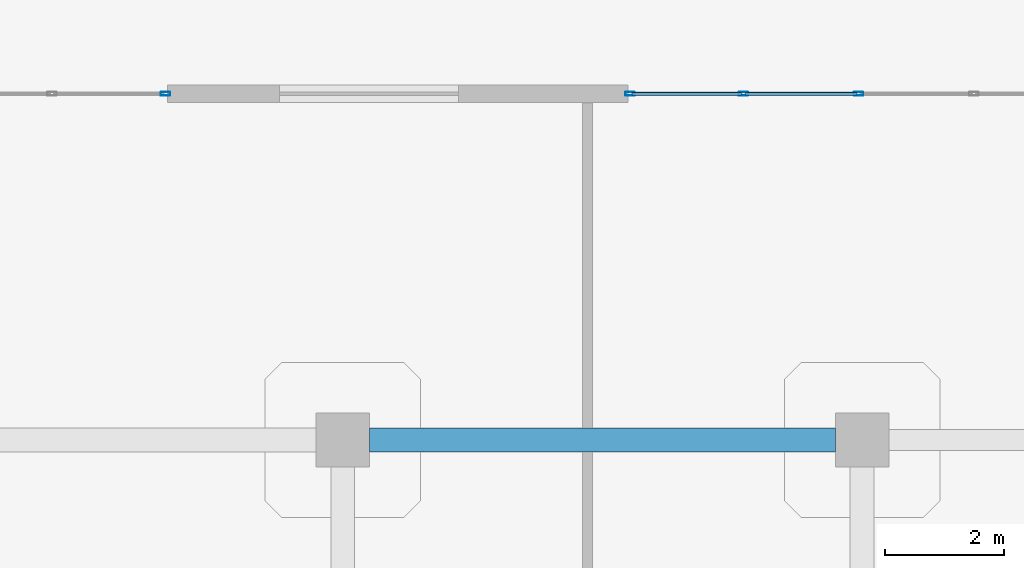
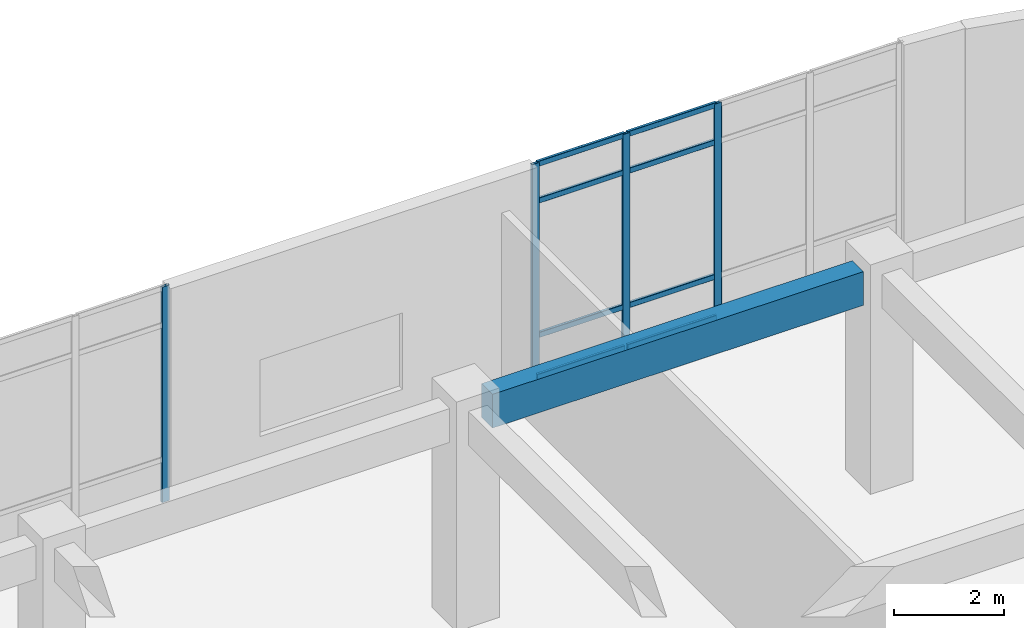
# One storey, part 65 of 120: 12 members, 1 beam, 2 elements without a shape of their own.
"""IFC4 building model written with IfcOpenShell, lengths in metres."""

import ifcopenshell
import ifcopenshell.guid

model = None  # the IFC model being written
_history = None  # IfcOwnerHistory: only IFC2X3 demands one
_inside = {}  # id of a spatial element -> (the spatial element, [elements in it])
_under = {}  # id of a project, library or spatial element -> (it, [spatial elements below it])
_declared = {}  # id of a project -> (the project, [libraries it declares])
_typed = {}  # id of a type object -> (the type object, [elements of that type])
_made_of = {}  # id of a material, layer set ... -> (it, [elements and type objects made of it])


def new_model(schema):
    """Start an empty IFC model of exactly this schema.

    Asked for "IFC4X3", IfcOpenShell would pick the latest addendum, in which some entities
    have other attributes; the version numbers below select the first issue.
    IFC2X3 requires an IfcOwnerHistory on every rooted entity: one is made here for all.
    """
    global model, _history
    if schema == "IFC4X3":
        model = ifcopenshell.file(schema_version=(4, 3, 0, 0))
    else:
        model = ifcopenshell.file(schema=schema)
    _inside.clear()
    _under.clear()
    _declared.clear()
    _typed.clear()
    _made_of.clear()
    _history = None
    if model.schema == "IFC2X3":
        org = make("IfcOrganization", Name="unknown")
        user = make(
            "IfcPersonAndOrganization",
            ThePerson=make("IfcPerson", FamilyName="unknown"),
            TheOrganization=org,
        )
        app = make(
            "IfcApplication",
            ApplicationDeveloper=org,
            Version="unknown",
            ApplicationFullName="unknown",
            ApplicationIdentifier="unknown",
        )
        _history = make(
            "IfcOwnerHistory",
            OwningUser=user,
            OwningApplication=app,
            ChangeAction="ADDED",
            CreationDate=0,
        )
    return model


def make(cls, **values):
    """One entity of the class cls with the attributes given. An attribute that is None is left unset."""
    return model.create_entity(
        cls, **{name: value for name, value in values.items() if value is not None}
    )


def rooted(cls, **values):
    """An entity with a GlobalId (a new one), such as an element, a storey or a relation."""
    return make(cls, GlobalId=ifcopenshell.guid.new(), OwnerHistory=_history, **values)


def si_unit(unit_type, name, prefix=None):
    """IfcSIUnit, for example si_unit("LENGTHUNIT", "METRE", prefix="MILLI")."""
    return make("IfcSIUnit", UnitType=unit_type, Prefix=prefix, Name=name)


def derived_unit(unit_type, elements):
    """IfcDerivedUnit: a product of units, each with its exponent."""
    return make(
        "IfcDerivedUnit",
        Elements=[
            make("IfcDerivedUnitElement", Unit=unit, Exponent=power)
            for unit, power in elements
        ],
        UnitType=unit_type,
    )


def assignment(units):
    """IfcUnitAssignment: the units of a project."""
    return None if units is None else make("IfcUnitAssignment", Units=units)


def point(xyz):
    """IfcCartesianPoint."""
    return None if xyz is None else make("IfcCartesianPoint", Coordinates=xyz)


def direction(xyz):
    """IfcDirection."""
    return None if xyz is None else make("IfcDirection", DirectionRatios=xyz)


def frame(location, z_axis=None, x_axis=None):
    """IfcAxis2Placement3D, a coordinate frame: its origin and axes. An axis left out is left unset."""
    return make(
        "IfcAxis2Placement3D",
        Location=point(location),
        Axis=direction(z_axis),
        RefDirection=direction(x_axis),
    )


def frame_2d(location, x_axis=None):
    """IfcAxis2Placement2D, a coordinate frame in the plane: its origin and x axis."""
    return make(
        "IfcAxis2Placement2D", Location=point(location), RefDirection=direction(x_axis)
    )


def origin():
    """The frame at (0, 0, 0) with its axes left unset."""
    return frame((0.0, 0.0, 0.0))


def origin_2d():
    """The frame at (0, 0) in the plane with its x axis left unset."""
    return frame_2d((0.0, 0.0))


def place(relative_to, where):
    """IfcLocalPlacement: puts the frame where relative to a parent placement (None: the world)."""
    return make(
        "IfcLocalPlacement", PlacementRelTo=relative_to, RelativePlacement=where
    )


def context(
    kind, dimensions, precision=None, world=None, true_north=None, identifier=None
):
    """IfcGeometricRepresentationContext, for example the 3D "Model" context."""
    return make(
        "IfcGeometricRepresentationContext",
        ContextIdentifier=identifier,
        ContextType=kind,
        CoordinateSpaceDimension=dimensions,
        Precision=precision,
        WorldCoordinateSystem=world,
        TrueNorth=true_north,
    )


def subcontext(parent, identifier, kind, view, scale=None):
    """IfcGeometricRepresentationSubContext, for example "Body" below "Model"."""
    return make(
        "IfcGeometricRepresentationSubContext",
        ContextIdentifier=identifier,
        ContextType=kind,
        ParentContext=parent,
        TargetScale=scale,
        TargetView=view,
    )


def project(units=None, contexts=None):
    """IfcProject with its units and contexts."""
    return rooted(
        "IfcProject",
        Name="project",
        RepresentationContexts=contexts,
        UnitsInContext=assignment(units),
    )


def spatial(cls, under=None, at=None, **own):
    """A site, building, storey or space (cls), placed at a placement, below another one or the project."""
    s = rooted(cls, ObjectPlacement=at, **own)
    if under is not None:
        _under.setdefault(under.id(), (under, []))[1].append(s)
    return s


def profile(cls, at=None, kind="AREA", **sizes):
    """A parametric profile (cls). Its sizes go by their IFC names, for example OverallWidth=200.0."""
    return make(cls, ProfileType=kind, Position=at, **sizes)


def rectangle(**sizes):
    """IfcRectangleProfileDef."""
    return profile("IfcRectangleProfileDef", **sizes)


def hollow_rectangle(**sizes):
    """IfcRectangleHollowProfileDef."""
    return profile("IfcRectangleHollowProfileDef", **sizes)


def extrude(swept, where, along, depth):
    """IfcExtrudedAreaSolid: the profile swept, set in the frame where, extruded along a direction by depth."""
    return make(
        "IfcExtrudedAreaSolid",
        SweptArea=swept,
        Position=where,
        ExtrudedDirection=direction(along),
        Depth=depth,
    )


def shape(context_of_items, identifier, shape_type, items):
    """IfcShapeRepresentation: the items that make up one representation, for example the "Body"."""
    return make(
        "IfcShapeRepresentation",
        ContextOfItems=context_of_items,
        RepresentationIdentifier=identifier,
        RepresentationType=shape_type,
        Items=items,
    )


def material(Name=None, Category=None):
    """IfcMaterial."""
    return make("IfcMaterial", Name=Name, Category=Category)


def layer(
    of_material, thickness, ventilated=None, Name=None, Category=None, Priority=None
):
    """IfcMaterialLayer: one layer of a wall or slab, of a material (None: an air gap)."""
    return make(
        "IfcMaterialLayer",
        Material=of_material,
        LayerThickness=thickness,
        IsVentilated=ventilated,
        Name=Name,
        Category=Category,
        Priority=Priority,
    )


def layer_set(layers, Name=None):
    """IfcMaterialLayerSet."""
    return make("IfcMaterialLayerSet", MaterialLayers=layers, LayerSetName=Name)


def material_profile(
    of_material, cross_section, Name=None, Category=None, Priority=None
):
    """IfcMaterialProfile: a cross section and its material."""
    return make(
        "IfcMaterialProfile",
        Name=Name,
        Material=of_material,
        Profile=cross_section,
        Priority=Priority,
        Category=Category,
    )


def profile_set(profiles, Name=None, composite=None):
    """IfcMaterialProfileSet."""
    return make(
        "IfcMaterialProfileSet",
        Name=Name,
        MaterialProfiles=profiles,
        CompositeProfile=composite,
    )


def made_of(thing, what):
    """Note that an element or type object is made of a material, layer set ...; save() writes the relation."""
    if what is not None:
        _made_of.setdefault(what.id(), (what, []))[1].append(thing)
    return thing


def type_object(cls, material=None, **own):
    """A type object (cls), such as IfcWallType, which elements share."""
    return made_of(rooted(cls, **own), material)


def element(
    cls,
    number,
    at=None,
    inside=None,
    cuts=None,
    type_object=None,
    material=None,
    context=None,
    identifier="Body",
    shape_type=None,
    held_by="IfcProductDefinitionShape",
    body=None,
    shapes=None,
    **own,
):
    """One element of the class cls, such as IfcWall. Its Tag is "e" and its number.

    at: its placement. inside: the storey or other place that contains it. cuts: it is an
    opening in that element (IfcRelVoidsElement). A single representation is given by context,
    identifier, shape_type and body (its items); several are given by shapes. held_by: the class
    of the entity that holds the representations. save() writes the other relations.
    """
    e = rooted(cls, Tag="e%d" % number, ObjectPlacement=at, **own)
    if body is not None:
        shapes = [shape(context, identifier, shape_type, body)]
    if shapes is not None:
        e.Representation = make(held_by, Representations=shapes)
    if inside is not None:
        _inside.setdefault(inside.id(), (inside, []))[1].append(e)
    if cuts is not None:
        rooted(
            "IfcRelVoidsElement", RelatingBuildingElement=cuts, RelatedOpeningElement=e
        )
    if type_object is not None:
        _typed.setdefault(type_object.id(), (type_object, []))[1].append(e)
    return made_of(e, material)


def aggregate(whole, parts):
    """IfcRelAggregates: a whole, such as a stair, and the parts it consists of."""
    return rooted("IfcRelAggregates", RelatingObject=whole, RelatedObjects=parts)


def save(model, path):
    """Write the relations noted so far, then the file.

    IfcRelAggregates (storeys below a building ...), IfcRelContainedInSpatialStructure (elements
    in a storey), IfcRelDefinesByType, IfcRelAssociatesMaterial and IfcRelDeclares: one each for
    every whole, place, type object, material and project.
    """
    for whole, parts in _under.values():
        aggregate(whole, parts)
    for where, things in _inside.values():
        rooted(
            "IfcRelContainedInSpatialStructure",
            RelatedElements=things,
            RelatingStructure=where,
        )
    for kind, things in _typed.values():
        rooted("IfcRelDefinesByType", RelatedObjects=things, RelatingType=kind)
    for what, things in _made_of.values():
        rooted("IfcRelAssociatesMaterial", RelatedObjects=things, RelatingMaterial=what)
    for by, libraries in _declared.values():
        rooted("IfcRelDeclares", RelatingContext=by, RelatedDefinitions=libraries)
    model.write(path)


model = new_model("IFC4")

# Units and contexts
model_context = context("Model", 3, precision=1e-05, world=origin(), true_north=direction((0.0, 1.0)))
body_context = subcontext(model_context, "Body", "Model", "MODEL_VIEW")
ifc_project = project(units=[si_unit("LENGTHUNIT", "METRE"), si_unit("AREAUNIT", "SQUARE_METRE"), si_unit("VOLUMEUNIT", "CUBIC_METRE"), si_unit("PLANEANGLEUNIT", "RADIAN"), si_unit("MASSUNIT", "GRAM", prefix="KILO"), derived_unit("THERMALTRANSMITTANCEUNIT", [(si_unit("MASSUNIT", "GRAM", prefix="KILO"), 1), (si_unit("TIMEUNIT", "SECOND"), -3), (si_unit("THERMODYNAMICTEMPERATUREUNIT", "KELVIN"), -1)])], contexts=[model_context])

# Site, building, storey
site_placement = place(None, origin())
site = spatial("IfcSite", under=ifc_project, at=site_placement, CompositionType="ELEMENT")
building_placement = place(site_placement, origin())
building = spatial("IfcBuilding", under=site, at=building_placement, Name="Qinzheling Arcade Emporium", CompositionType="ELEMENT")
storey_placement = place(building_placement, frame((0.0, 0.0, 11.39990234375)))
storey = spatial("IfcBuildingStorey", under=building, at=storey_placement, Name="L03", CompositionType="ELEMENT", Elevation=11.39990234375)

# Curtain wall, member
ifc_material_1 = material(Name="Anodised aluminium and solar-control double glazing", Category="aluminium")
ifc_layer = layer(ifc_material_1, 0.159912109375, Name="Anodised aluminium and solar-control double glazing", Category="aluminium")
ifc_layer_set = layer_set([ifc_layer], Name="Anodised aluminium and solar-control double glazing")
curtain_wall_type = type_object("IfcCurtainWallType", Name="Food Hall Loggia Curtain Wall", PredefinedType="NOTDEFINED", material=ifc_layer_set)
curtain_wall_1_placement = place(storey_placement, origin())
curtain_wall_1 = element("IfcCurtainWall", 1, at=curtain_wall_1_placement, inside=storey, type_object=curtain_wall_type, Name="Curtain Wall CW-L03-206", PredefinedType="NOTDEFINED")
ifc_material_2 = material(Name="Anodised aluminium 6063-T6", Category="aluminium")
ifc_material_profile_1 = material_profile(ifc_material_2, hollow_rectangle(XDim=0.06005859375, YDim=0.159912109375, WallThickness=0.00390625, InnerFilletRadius=0.00390625, OuterFilletRadius=0.008056640625, at=origin_2d()), Name="RHS 160x60x4", Category="aluminium")
ifc_profile_set_1 = profile_set([ifc_material_profile_1], Name="Anodised aluminium 6063-T6")
member_type_1 = type_object("IfcMemberType", Name="Curtain Wall Mullion RHS160x60", PredefinedType="MULLION", material=ifc_profile_set_1)
member_1_placement = place(storey_placement, frame((144.927978515625, 31.0, 0.0), z_axis=(0.0, 0.0, 1.0), x_axis=(0.0, 1.0, 0.0)))
member_1 = element("IfcMember", 2, at=member_1_placement, type_object=member_type_1, Name="CW04 mullion 5", PredefinedType="MULLION", context=body_context, shape_type="SweptSolid", body=[
    extrude(hollow_rectangle(XDim=0.06005859375, YDim=0.159912109375, WallThickness=0.00390625, InnerFilletRadius=0.00390625, OuterFilletRadius=0.008056640625, at=origin_2d()), origin(), (0.0, 0.0, 1.0), 4.7900390625),
])
aggregate(curtain_wall_1, [member_1])

# Curtain wall, members
curtain_wall_2_placement = place(storey_placement, origin())
curtain_wall_2 = element("IfcCurtainWall", 3, at=curtain_wall_2_placement, inside=storey, type_object=curtain_wall_type, Name="Curtain Wall CW-L03-207", PredefinedType="NOTDEFINED")
member_2_placement = place(storey_placement, frame((152.7119140625, 31.0, 0.0), z_axis=(0.0, 0.0, 1.0), x_axis=(0.0, 1.0, 0.0)))
member_2 = element("IfcMember", 4, at=member_2_placement, type_object=member_type_1, Name="CW04 mullion 1", PredefinedType="MULLION", context=body_context, shape_type="SweptSolid", body=[
    extrude(hollow_rectangle(XDim=0.06005859375, YDim=0.159912109375, WallThickness=0.00390625, InnerFilletRadius=0.00390625, OuterFilletRadius=0.008056640625, at=origin_2d()), origin(), (0.0, 0.0, 1.0), 4.7900390625),
])
member_3_placement = place(storey_placement, frame((154.611572265625, 31.0, 0.0), z_axis=(0.0, 0.0, 1.0), x_axis=(0.0, 1.0, 0.0)))
member_3 = element("IfcMember", 5, at=member_3_placement, type_object=member_type_1, Name="CW04 mullion 2", PredefinedType="MULLION", context=body_context, shape_type="SweptSolid", body=[
    extrude(hollow_rectangle(XDim=0.06005859375, YDim=0.159912109375, WallThickness=0.00390625, InnerFilletRadius=0.00390625, OuterFilletRadius=0.008056640625, at=origin_2d()), origin(), (0.0, 0.0, 1.0), 4.7900390625),
])
member_4_placement = place(storey_placement, frame((156.541015625, 31.0, 0.0), z_axis=(0.0, 0.0, 1.0), x_axis=(0.0, 1.0, 0.0)))
member_4 = element("IfcMember", 6, at=member_4_placement, type_object=member_type_1, Name="CW04 mullion 3", PredefinedType="MULLION", context=body_context, shape_type="SweptSolid", body=[
    extrude(hollow_rectangle(XDim=0.06005859375, YDim=0.159912109375, WallThickness=0.00390625, InnerFilletRadius=0.00390625, OuterFilletRadius=0.008056640625, at=origin_2d()), origin(), (0.0, 0.0, 1.0), 4.7900390625),
])
ifc_material_profile_2 = material_profile(ifc_material_2, hollow_rectangle(XDim=0.06005859375, YDim=0.1201171875, WallThickness=0.00390625, InnerFilletRadius=0.00390625, OuterFilletRadius=0.008056640625, at=origin_2d()), Name="RHS 120x60x4", Category="aluminium")
ifc_profile_set_2 = profile_set([ifc_material_profile_2], Name="Anodised aluminium 6063-T6")
member_type_2 = type_object("IfcMemberType", Name="Curtain Wall Transom RHS120x60", PredefinedType="USERDEFINED", material=ifc_profile_set_2)
member_5_placement = place(storey_placement, frame((152.741943359375, 31.0, 0.030029296875), z_axis=(1.0, 0.0, 0.0), x_axis=(0.0, 1.0, 0.0)))
member_5 = element("IfcMember", 7, at=member_5_placement, type_object=member_type_2, Name="CW04 transom 1.1", ObjectType="TRANSOM", PredefinedType="USERDEFINED", context=body_context, shape_type="SweptSolid", body=[
    extrude(hollow_rectangle(XDim=0.06005859375, YDim=0.1201171875, WallThickness=0.00390625, InnerFilletRadius=0.00390625, OuterFilletRadius=0.008056640625, at=origin_2d()), origin(), (0.0, 0.0, 1.0), 1.839599609375),
])
member_6_placement = place(storey_placement, frame((152.741943359375, 31.0, 0.9501953125), z_axis=(1.0, 0.0, 0.0), x_axis=(0.0, 1.0, 0.0)))
member_6 = element("IfcMember", 8, at=member_6_placement, type_object=member_type_2, Name="CW04 transom 1.2", ObjectType="TRANSOM", PredefinedType="USERDEFINED", context=body_context, shape_type="SweptSolid", body=[
    extrude(hollow_rectangle(XDim=0.06005859375, YDim=0.1201171875, WallThickness=0.00390625, InnerFilletRadius=0.00390625, OuterFilletRadius=0.008056640625, at=origin_2d()), origin(), (0.0, 0.0, 1.0), 1.839599609375),
])
member_7_placement = place(storey_placement, frame((152.741943359375, 31.0, 3.940185546875), z_axis=(1.0, 0.0, 0.0), x_axis=(0.0, 1.0, 0.0)))
member_7 = element("IfcMember", 9, at=member_7_placement, type_object=member_type_2, Name="CW04 transom 1.3", ObjectType="TRANSOM", PredefinedType="USERDEFINED", context=body_context, shape_type="SweptSolid", body=[
    extrude(hollow_rectangle(XDim=0.06005859375, YDim=0.1201171875, WallThickness=0.00390625, InnerFilletRadius=0.00390625, OuterFilletRadius=0.008056640625, at=origin_2d()), origin(), (0.0, 0.0, 1.0), 1.839599609375),
])
member_8_placement = place(storey_placement, frame((152.741943359375, 31.0, 4.760009765625), z_axis=(1.0, 0.0, 0.0), x_axis=(0.0, 1.0, 0.0)))
member_8 = element("IfcMember", 10, at=member_8_placement, type_object=member_type_2, Name="CW04 transom 1.4", ObjectType="TRANSOM", PredefinedType="USERDEFINED", context=body_context, shape_type="SweptSolid", body=[
    extrude(hollow_rectangle(XDim=0.06005859375, YDim=0.1201171875, WallThickness=0.00390625, InnerFilletRadius=0.00390625, OuterFilletRadius=0.008056640625, at=origin_2d()), origin(), (0.0, 0.0, 1.0), 1.839599609375),
])
member_9_placement = place(storey_placement, frame((154.6416015625, 31.0, 0.030029296875), z_axis=(1.0, 0.0, 0.0), x_axis=(0.0, 1.0, 0.0)))
member_9 = element("IfcMember", 11, at=member_9_placement, type_object=member_type_2, Name="CW04 transom 2.1", ObjectType="TRANSOM", PredefinedType="USERDEFINED", context=body_context, shape_type="SweptSolid", body=[
    extrude(hollow_rectangle(XDim=0.06005859375, YDim=0.1201171875, WallThickness=0.00390625, InnerFilletRadius=0.00390625, OuterFilletRadius=0.008056640625, at=origin_2d()), origin(), (0.0, 0.0, 1.0), 1.869384765625),
])
member_10_placement = place(storey_placement, frame((154.6416015625, 31.0, 0.9501953125), z_axis=(1.0, 0.0, 0.0), x_axis=(0.0, 1.0, 0.0)))
member_10 = element("IfcMember", 12, at=member_10_placement, type_object=member_type_2, Name="CW04 transom 2.2", ObjectType="TRANSOM", PredefinedType="USERDEFINED", context=body_context, shape_type="SweptSolid", body=[
    extrude(hollow_rectangle(XDim=0.06005859375, YDim=0.1201171875, WallThickness=0.00390625, InnerFilletRadius=0.00390625, OuterFilletRadius=0.008056640625, at=origin_2d()), origin(), (0.0, 0.0, 1.0), 1.869384765625),
])
member_11_placement = place(storey_placement, frame((154.6416015625, 31.0, 3.940185546875), z_axis=(1.0, 0.0, 0.0), x_axis=(0.0, 1.0, 0.0)))
member_11 = element("IfcMember", 13, at=member_11_placement, type_object=member_type_2, Name="CW04 transom 2.3", ObjectType="TRANSOM", PredefinedType="USERDEFINED", context=body_context, shape_type="SweptSolid", body=[
    extrude(hollow_rectangle(XDim=0.06005859375, YDim=0.1201171875, WallThickness=0.00390625, InnerFilletRadius=0.00390625, OuterFilletRadius=0.008056640625, at=origin_2d()), origin(), (0.0, 0.0, 1.0), 1.869384765625),
])
member_12_placement = place(storey_placement, frame((154.6416015625, 31.0, 4.760009765625), z_axis=(1.0, 0.0, 0.0), x_axis=(0.0, 1.0, 0.0)))
member_12 = element("IfcMember", 14, at=member_12_placement, type_object=member_type_2, Name="CW04 transom 2.4", ObjectType="TRANSOM", PredefinedType="USERDEFINED", context=body_context, shape_type="SweptSolid", body=[
    extrude(hollow_rectangle(XDim=0.06005859375, YDim=0.1201171875, WallThickness=0.00390625, InnerFilletRadius=0.00390625, OuterFilletRadius=0.008056640625, at=origin_2d()), origin(), (0.0, 0.0, 1.0), 1.869384765625),
])
aggregate(curtain_wall_2, [member_2, member_3, member_4, member_5, member_6, member_7, member_8, member_9, member_10, member_11, member_12])

# Beam
ifc_material_3 = material(Name="Concrete C40", Category="concrete")
ifc_material_profile_3 = material_profile(ifc_material_3, rectangle(XDim=0.39990234375, YDim=0.75, at=origin_2d()), Name="RC 400x750", Category="concrete")
ifc_profile_set_3 = profile_set([ifc_material_profile_3], Name="Concrete C40")
beam_type = type_object("IfcBeamType", Name="RC Interior Tie Beam 400x750 C40", PredefinedType="BEAM", material=ifc_profile_set_3)
beam_placement = place(storey_placement, frame((148.35009765625, 25.199951171875, 4.43017578125), z_axis=(1.0, 0.0, 0.0), x_axis=(0.0, 1.0, 0.0)))
element("IfcBeam", 15, at=beam_placement, inside=storey, type_object=beam_type, Name="Beam BM-L03-X-D-18", PredefinedType="BEAM", context=body_context, shape_type="SweptSolid", body=[
    extrude(rectangle(XDim=0.39990234375, YDim=0.75, at=origin_2d()), origin(), (0.0, 0.0, 1.0), 7.7998046875),
])

save(model, "model.ifc")
